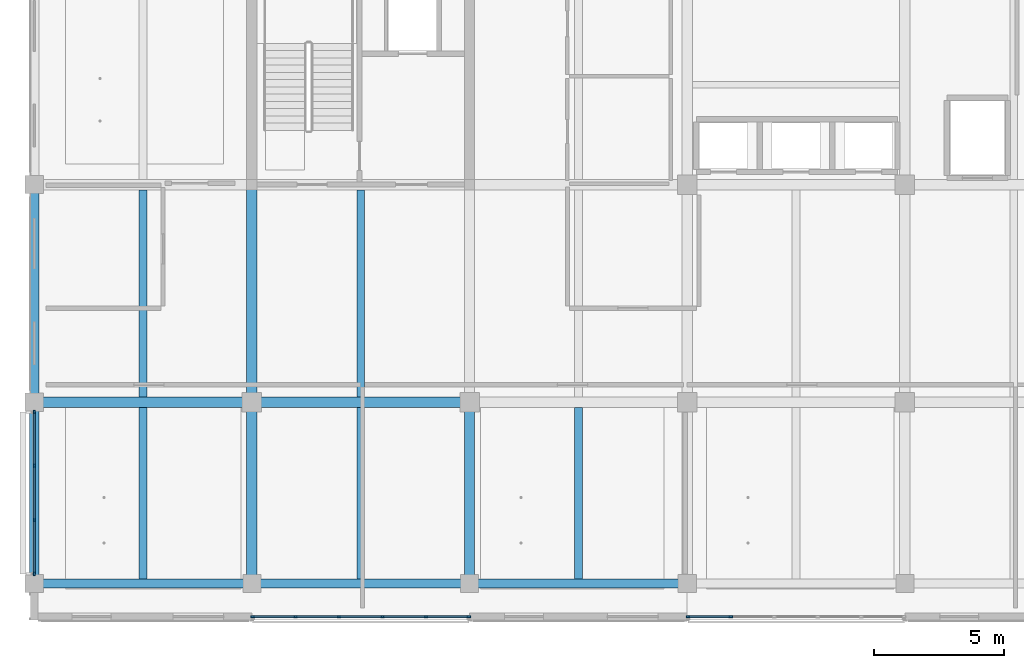
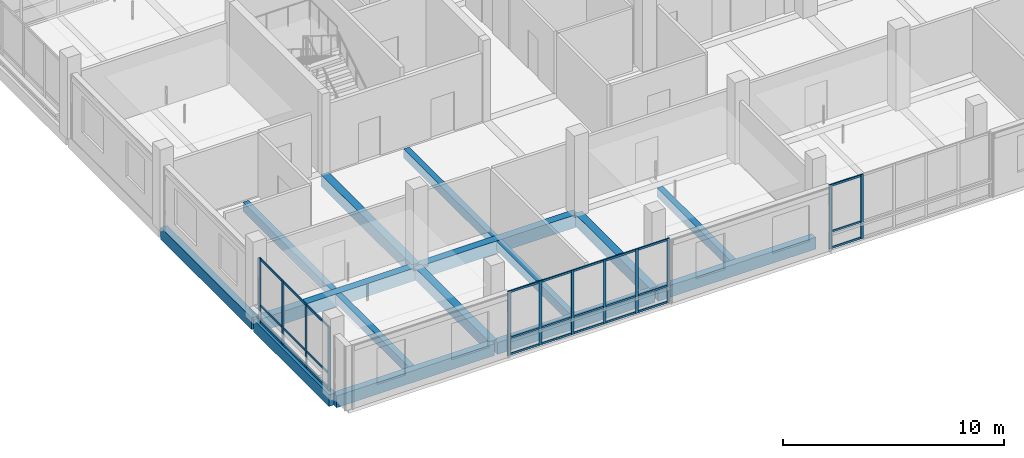
# One storey, part 2 of 32: 39 members, 15 beams, 3 elements without a shape of their own.
"""IFC4 building model written with IfcOpenShell, lengths in metres."""

from ifc_helpers import new_model, si_unit, direction, frame, origin, origin_2d, place, context, subcontext, project, spatial, rectangle, extrude, material, layer, layer_set, material_profile, profile_set, type_object, element, aggregate, save


model = new_model("IFC4")

# Units and contexts
model_context = context("Model", 3, precision=1e-05, world=origin(), true_north=direction((0.0, 1.0)))
body_context = subcontext(model_context, "Body", "Model", "MODEL_VIEW")
ifc_project = project(units=[si_unit("LENGTHUNIT", "METRE"), si_unit("AREAUNIT", "SQUARE_METRE"), si_unit("VOLUMEUNIT", "CUBIC_METRE"), si_unit("PLANEANGLEUNIT", "RADIAN"), si_unit("MASSUNIT", "GRAM", prefix="KILO")], contexts=[model_context])

# Site, building, storey
site_placement = place(None, origin())
site = spatial("IfcSite", under=ifc_project, at=site_placement, CompositionType="ELEMENT")
building_placement = place(site_placement, origin())
building = spatial("IfcBuilding", under=site, at=building_placement, Name="Telukmera Botanical Conservatory", CompositionType="ELEMENT")
storey_placement = place(building_placement, frame((0.0, 0.0, 42.0)))
storey = spatial("IfcBuildingStorey", under=building, at=storey_placement, Name="L09", CompositionType="ELEMENT", Elevation=42.0)

# Beams
ifc_material_1 = material(Name="Concrete C40/50", Category="concrete")
ifc_material_profile_1 = material_profile(ifc_material_1, rectangle(XDim=0.300048828125, YDim=0.5, at=origin_2d()), Name="RC 300x500")
ifc_profile_set_1 = profile_set([ifc_material_profile_1], Name="Concrete C40/50")
beam_type_1 = type_object("IfcBeamType", Name="Beam_B24", PredefinedType="JOIST", material=ifc_profile_set_1)
beam_1_placement = place(storey_placement, frame((54.60009765625, 10.77490234375, -0.25), z_axis=(0.0, 1.0, 0.0), x_axis=(-1.0, 0.0, 0.0)))
element("IfcBeam", 1, at=beam_1_placement, inside=storey, type_object=beam_type_1, Name="Tower Secondary Floor Joist L09", PredefinedType="JOIST", context=body_context, shape_type="SweptSolid", body=[
    extrude(rectangle(XDim=0.300048828125, YDim=0.5, at=origin_2d()), origin(), (0.0, 0.0, 1.0), 6.625),
])
beam_2_placement = place(storey_placement, frame((54.60009765625, 17.800048828125, -0.25), z_axis=(0.0, 1.0, 0.0), x_axis=(-1.0, 0.0, 0.0)))
element("IfcBeam", 2, at=beam_2_placement, inside=storey, type_object=beam_type_1, Name="Tower Secondary Floor Joist L09", PredefinedType="JOIST", context=body_context, shape_type="SweptSolid", body=[
    extrude(rectangle(XDim=0.300048828125, YDim=0.5, at=origin_2d()), origin(), (0.0, 0.0, 1.0), 8.0),
])
beam_3_placement = place(storey_placement, frame((63.0, 10.77490234375, -0.25), z_axis=(0.0, 1.0, 0.0), x_axis=(-1.0, 0.0, 0.0)))
element("IfcBeam", 3, at=beam_3_placement, inside=storey, type_object=beam_type_1, Name="Tower Secondary Floor Joist L09", PredefinedType="JOIST", context=body_context, shape_type="SweptSolid", body=[
    extrude(rectangle(XDim=0.300048828125, YDim=0.5, at=origin_2d()), origin(), (0.0, 0.0, 1.0), 6.625),
])
beam_4_placement = place(storey_placement, frame((63.0, 17.800048828125, -0.25), z_axis=(0.0, 1.0, 0.0), x_axis=(-1.0, 0.0, 0.0)))
element("IfcBeam", 4, at=beam_4_placement, inside=storey, type_object=beam_type_1, Name="Tower Secondary Floor Joist L09", PredefinedType="JOIST", context=body_context, shape_type="SweptSolid", body=[
    extrude(rectangle(XDim=0.300048828125, YDim=0.5, at=origin_2d()), origin(), (0.0, 0.0, 1.0), 8.0),
])
beam_5_placement = place(storey_placement, frame((71.39990234375, 10.77490234375, -0.25), z_axis=(0.0, 1.0, 0.0), x_axis=(-1.0, 0.0, 0.0)))
element("IfcBeam", 5, at=beam_5_placement, inside=storey, type_object=beam_type_1, Name="Tower Secondary Floor Joist L09", PredefinedType="JOIST", context=body_context, shape_type="SweptSolid", body=[
    extrude(rectangle(XDim=0.300048828125, YDim=0.5, at=origin_2d()), origin(), (0.0, 0.0, 1.0), 6.625),
])
ifc_material_profile_2 = material_profile(ifc_material_1, rectangle(XDim=0.39990234375, YDim=0.699951171875, at=origin_2d()), Name="RC 400x700")
ifc_profile_set_2 = profile_set([ifc_material_profile_2], Name="Concrete C40/50")
beam_type_2 = type_object("IfcBeamType", Name="Beam_B7", PredefinedType="BEAM", material=ifc_profile_set_2)
beam_6_placement = place(storey_placement, frame((50.47998046875, 17.60009765625, -0.35009765625), z_axis=(1.0, 0.0, 0.0), x_axis=(0.0, 1.0, 0.0)))
element("IfcBeam", 6, at=beam_6_placement, inside=storey, type_object=beam_type_2, Name="Tower Grid Beam L09", PredefinedType="BEAM", context=body_context, shape_type="SweptSolid", body=[
    extrude(rectangle(XDim=0.39990234375, YDim=0.699951171875, at=origin_2d()), origin(), (0.0, 0.0, 1.0), 8.239990234375),
])
beam_7_placement = place(storey_placement, frame((58.8798828125, 17.60009765625, -0.35009765625), z_axis=(1.0, 0.0, 0.0), x_axis=(0.0, 1.0, 0.0)))
element("IfcBeam", 7, at=beam_7_placement, inside=storey, type_object=beam_type_2, Name="Tower Grid Beam L09", PredefinedType="BEAM", context=body_context, shape_type="SweptSolid", body=[
    extrude(rectangle(XDim=0.39990234375, YDim=0.699951171875, at=origin_2d()), origin(), (0.0, 0.0, 1.0), 8.240234375),
])
ifc_material_profile_3 = material_profile(ifc_material_1, rectangle(XDim=0.39990234375, YDim=0.64990234375, at=origin_2d()), Name="RC 400x650")
ifc_profile_set_3 = profile_set([ifc_material_profile_3], Name="Concrete C40/50")
beam_type_3 = type_object("IfcBeamType", Name="Beam_B8", PredefinedType="BEAM", material=ifc_profile_set_3)
beam_8_placement = place(storey_placement, frame((58.800048828125, 10.679931640625, -0.324951171875), z_axis=(0.0, 1.0, 0.0), x_axis=(-1.0, 0.0, 0.0)))
element("IfcBeam", 8, at=beam_8_placement, inside=storey, type_object=beam_type_3, Name="Tower Transverse Beam L09", PredefinedType="BEAM", context=body_context, shape_type="SweptSolid", body=[
    extrude(rectangle(XDim=0.39990234375, YDim=0.64990234375, at=origin_2d()), origin(), (0.0, 0.0, 1.0), 6.840087890625),
])
beam_9_placement = place(storey_placement, frame((58.800048828125, 17.679931640625, -0.324951171875), z_axis=(0.0, 1.0, 0.0), x_axis=(-1.0, 0.0, 0.0)))
element("IfcBeam", 9, at=beam_9_placement, inside=storey, type_object=beam_type_3, Name="Tower Transverse Beam L09", PredefinedType="BEAM", context=body_context, shape_type="SweptSolid", body=[
    extrude(rectangle(XDim=0.39990234375, YDim=0.64990234375, at=origin_2d()), origin(), (0.0, 0.0, 1.0), 8.239990234375),
])
beam_10_placement = place(storey_placement, frame((67.199951171875, 10.679931640625, -0.324951171875), z_axis=(0.0, 1.0, 0.0), x_axis=(-1.0, 0.0, 0.0)))
element("IfcBeam", 10, at=beam_10_placement, inside=storey, type_object=beam_type_3, Name="Tower Transverse Beam L09", PredefinedType="BEAM", context=body_context, shape_type="SweptSolid", body=[
    extrude(rectangle(XDim=0.39990234375, YDim=0.64990234375, at=origin_2d()), origin(), (0.0, 0.0, 1.0), 6.840087890625),
])
ifc_material_2 = material(Name="Precast concrete C40/50", Category="concrete")
ifc_material_profile_4 = material_profile(ifc_material_2, rectangle(XDim=0.35009765625, YDim=0.64990234375, at=origin_2d()), Name="PC 350x650")
ifc_profile_set_4 = profile_set([ifc_material_profile_4], Name="Precast concrete C40/50")
beam_type_4 = type_object("IfcBeamType", Name="Beam_SP3", PredefinedType="SPANDREL", material=ifc_profile_set_4)
beam_11_placement = place(storey_placement, frame((50.47998046875, 10.60009765625, -0.324951171875), z_axis=(1.0, 0.0, 0.0), x_axis=(0.0, 1.0, 0.0)))
element("IfcBeam", 11, at=beam_11_placement, inside=storey, type_object=beam_type_4, Name="Tower Grid Beam L09", PredefinedType="SPANDREL", context=body_context, shape_type="SweptSolid", body=[
    extrude(rectangle(XDim=0.35009765625, YDim=0.64990234375, at=origin_2d()), origin(), (0.0, 0.0, 1.0), 8.239990234375),
])
beam_12_placement = place(storey_placement, frame((58.8798828125, 10.60009765625, -0.324951171875), z_axis=(1.0, 0.0, 0.0), x_axis=(0.0, 1.0, 0.0)))
element("IfcBeam", 12, at=beam_12_placement, inside=storey, type_object=beam_type_4, Name="Tower Grid Beam L09", PredefinedType="SPANDREL", context=body_context, shape_type="SweptSolid", body=[
    extrude(rectangle(XDim=0.35009765625, YDim=0.64990234375, at=origin_2d()), origin(), (0.0, 0.0, 1.0), 8.240234375),
])
beam_13_placement = place(storey_placement, frame((67.280029296875, 10.60009765625, -0.324951171875), z_axis=(1.0, 0.0, 0.0), x_axis=(0.0, 1.0, 0.0)))
element("IfcBeam", 13, at=beam_13_placement, inside=storey, type_object=beam_type_4, Name="Tower Grid Beam L09", PredefinedType="SPANDREL", context=body_context, shape_type="SweptSolid", body=[
    extrude(rectangle(XDim=0.35009765625, YDim=0.64990234375, at=origin_2d()), origin(), (0.0, 0.0, 1.0), 8.239990234375),
])
beam_14_placement = place(storey_placement, frame((50.39990234375, 10.679931640625, -0.324951171875), z_axis=(0.0, 1.0, 0.0), x_axis=(-1.0, 0.0, 0.0)))
element("IfcBeam", 14, at=beam_14_placement, inside=storey, type_object=beam_type_4, Name="Tower Transverse Beam L09", PredefinedType="SPANDREL", context=body_context, shape_type="SweptSolid", body=[
    extrude(rectangle(XDim=0.35009765625, YDim=0.64990234375, at=origin_2d()), origin(), (0.0, 0.0, 1.0), 6.840087890625),
])
beam_15_placement = place(storey_placement, frame((50.39990234375, 17.679931640625, -0.324951171875), z_axis=(0.0, 1.0, 0.0), x_axis=(-1.0, 0.0, 0.0)))
element("IfcBeam", 15, at=beam_15_placement, inside=storey, type_object=beam_type_4, Name="Tower Transverse Beam L09", PredefinedType="SPANDREL", context=body_context, shape_type="SweptSolid", body=[
    extrude(rectangle(XDim=0.35009765625, YDim=0.64990234375, at=origin_2d()), origin(), (0.0, 0.0, 1.0), 8.239990234375),
])

# Curtain wall, members
ifc_material_3 = material(Name="Anodised aluminium 6063-T6", Category="aluminium")
ifc_layer = layer(ifc_material_3, 0.179931640625)
ifc_layer_set = layer_set([ifc_layer], Name="Anodised aluminium 6063-T6")
curtain_wall_type = type_object("IfcCurtainWallType", Name="Tower Research Laboratory Unitised Curtain Wall", PredefinedType="USERDEFINED", material=ifc_layer_set)
curtain_wall_1_placement = place(storey_placement, origin())
curtain_wall_1 = element("IfcCurtainWall", 16, at=curtain_wall_1_placement, inside=storey, type_object=curtain_wall_type, Name="Unitised Curtain Wall CW15 V4:L09:S2", ObjectType="UNITISED CURTAIN WALL", PredefinedType="USERDEFINED")
ifc_material_profile_5 = material_profile(ifc_material_3, rectangle(XDim=0.06005859375, YDim=0.139892578125, at=origin_2d()), Name="ALU MULL 60x140")
ifc_profile_set_5 = profile_set([ifc_material_profile_5], Name="Anodised aluminium 6063-T6")
member_type_1 = type_object("IfcMemberType", Name="Curtain Wall Extruded Mullion 60x140", PredefinedType="MULLION", material=ifc_profile_set_5)
member_1_placement = place(storey_placement, frame((58.83203125, 9.320068359375, 0.0), z_axis=(0.0, 0.0, 1.0), x_axis=(0.0, 1.0, 0.0)))
member_1 = element("IfcMember", 17, at=member_1_placement, type_object=member_type_1, Name="CW15 mullion 1", PredefinedType="MULLION", context=body_context, shape_type="SweptSolid", body=[
    extrude(rectangle(XDim=0.06005859375, YDim=0.139892578125, at=origin_2d()), origin(), (0.0, 0.0, 1.0), 3.550048828125),
])
member_2_placement = place(storey_placement, frame((60.481201171875, 9.320068359375, 0.0), z_axis=(0.0, 0.0, 1.0), x_axis=(0.0, 1.0, 0.0)))
member_2 = element("IfcMember", 18, at=member_2_placement, type_object=member_type_1, Name="CW15 mullion 2", PredefinedType="MULLION", context=body_context, shape_type="SweptSolid", body=[
    extrude(rectangle(XDim=0.06005859375, YDim=0.139892578125, at=origin_2d()), origin(), (0.0, 0.0, 1.0), 3.550048828125),
])
member_3_placement = place(storey_placement, frame((62.160400390625, 9.320068359375, 0.0), z_axis=(0.0, 0.0, 1.0), x_axis=(0.0, 1.0, 0.0)))
member_3 = element("IfcMember", 19, at=member_3_placement, type_object=member_type_1, Name="CW15 mullion 3", PredefinedType="MULLION", context=body_context, shape_type="SweptSolid", body=[
    extrude(rectangle(XDim=0.06005859375, YDim=0.139892578125, at=origin_2d()), origin(), (0.0, 0.0, 1.0), 3.550048828125),
])
member_4_placement = place(storey_placement, frame((63.839599609375, 9.320068359375, 0.0), z_axis=(0.0, 0.0, 1.0), x_axis=(0.0, 1.0, 0.0)))
member_4 = element("IfcMember", 20, at=member_4_placement, type_object=member_type_1, Name="CW15 mullion 4", PredefinedType="MULLION", context=body_context, shape_type="SweptSolid", body=[
    extrude(rectangle(XDim=0.06005859375, YDim=0.139892578125, at=origin_2d()), origin(), (0.0, 0.0, 1.0), 3.550048828125),
])
member_5_placement = place(storey_placement, frame((65.518798828125, 9.320068359375, 0.0), z_axis=(0.0, 0.0, 1.0), x_axis=(0.0, 1.0, 0.0)))
member_5 = element("IfcMember", 21, at=member_5_placement, type_object=member_type_1, Name="CW15 mullion 5", PredefinedType="MULLION", context=body_context, shape_type="SweptSolid", body=[
    extrude(rectangle(XDim=0.06005859375, YDim=0.139892578125, at=origin_2d()), origin(), (0.0, 0.0, 1.0), 3.550048828125),
])
member_6_placement = place(storey_placement, frame((67.16796875, 9.320068359375, 0.0), z_axis=(0.0, 0.0, 1.0), x_axis=(0.0, 1.0, 0.0)))
member_6 = element("IfcMember", 22, at=member_6_placement, type_object=member_type_1, Name="CW15 mullion 6", PredefinedType="MULLION", context=body_context, shape_type="SweptSolid", body=[
    extrude(rectangle(XDim=0.06005859375, YDim=0.139892578125, at=origin_2d()), origin(), (0.0, 0.0, 1.0), 3.550048828125),
])

curtain_wall_2_placement = place(storey_placement, origin())
curtain_wall_2 = element("IfcCurtainWall", 23, at=curtain_wall_2_placement, inside=storey, type_object=curtain_wall_type, Name="Unitised Curtain Wall CW15 V4:L09:S4", ObjectType="UNITISED CURTAIN WALL", PredefinedType="USERDEFINED")
member_7_placement = place(storey_placement, frame((75.632080078125, 9.320068359375, 0.0), z_axis=(0.0, 0.0, 1.0), x_axis=(0.0, 1.0, 0.0)))
member_7 = element("IfcMember", 24, at=member_7_placement, type_object=member_type_1, Name="CW15 mullion 1", PredefinedType="MULLION", context=body_context, shape_type="SweptSolid", body=[
    extrude(rectangle(XDim=0.06005859375, YDim=0.139892578125, at=origin_2d()), origin(), (0.0, 0.0, 1.0), 3.550048828125),
])
member_8_placement = place(storey_placement, frame((77.28125, 9.320068359375, 0.0), z_axis=(0.0, 0.0, 1.0), x_axis=(0.0, 1.0, 0.0)))
member_8 = element("IfcMember", 25, at=member_8_placement, type_object=member_type_1, Name="CW15 mullion 2", PredefinedType="MULLION", context=body_context, shape_type="SweptSolid", body=[
    extrude(rectangle(XDim=0.06005859375, YDim=0.139892578125, at=origin_2d()), origin(), (0.0, 0.0, 1.0), 3.550048828125),
])

curtain_wall_3_placement = place(storey_placement, origin())
curtain_wall_3 = element("IfcCurtainWall", 26, at=curtain_wall_3_placement, inside=storey, type_object=curtain_wall_type, Name="Unitised Curtain Wall CW15 V4:L09:W1", ObjectType="UNITISED CURTAIN WALL", PredefinedType="USERDEFINED")
member_9_placement = place(storey_placement, frame((50.39990234375, 10.98193359375, 0.0), z_axis=(0.0, 0.0, 1.0), x_axis=(-1.0, 0.0, 0.0)))
member_9 = element("IfcMember", 27, at=member_9_placement, type_object=member_type_1, Name="CW15 mullion 1", PredefinedType="MULLION", context=body_context, shape_type="SweptSolid", body=[
    extrude(rectangle(XDim=0.06005859375, YDim=0.139892578125, at=origin_2d()), origin(), (0.0, 0.0, 1.0), 3.550048828125),
])
member_10_placement = place(storey_placement, frame((50.39990234375, 13.05078125, 0.0), z_axis=(0.0, 0.0, 1.0), x_axis=(-1.0, 0.0, 0.0)))
member_10 = element("IfcMember", 28, at=member_10_placement, type_object=member_type_1, Name="CW15 mullion 2", PredefinedType="MULLION", context=body_context, shape_type="SweptSolid", body=[
    extrude(rectangle(XDim=0.06005859375, YDim=0.139892578125, at=origin_2d()), origin(), (0.0, 0.0, 1.0), 3.550048828125),
])
member_11_placement = place(storey_placement, frame((50.39990234375, 15.1494140625, 0.0), z_axis=(0.0, 0.0, 1.0), x_axis=(-1.0, 0.0, 0.0)))
member_11 = element("IfcMember", 29, at=member_11_placement, type_object=member_type_1, Name="CW15 mullion 3", PredefinedType="MULLION", context=body_context, shape_type="SweptSolid", body=[
    extrude(rectangle(XDim=0.06005859375, YDim=0.139892578125, at=origin_2d()), origin(), (0.0, 0.0, 1.0), 3.550048828125),
])
member_12_placement = place(storey_placement, frame((50.39990234375, 17.218017578125, 0.0), z_axis=(0.0, 0.0, 1.0), x_axis=(-1.0, 0.0, 0.0)))
member_12 = element("IfcMember", 30, at=member_12_placement, type_object=member_type_1, Name="CW15 mullion 4", PredefinedType="MULLION", context=body_context, shape_type="SweptSolid", body=[
    extrude(rectangle(XDim=0.06005859375, YDim=0.139892578125, at=origin_2d()), origin(), (0.0, 0.0, 1.0), 3.550048828125),
])

# Member
ifc_material_profile_6 = material_profile(ifc_material_3, rectangle(XDim=0.06005859375, YDim=0.110107421875, at=origin_2d()), Name="ALU TRAN 60x110")
ifc_profile_set_6 = profile_set([ifc_material_profile_6], Name="Anodised aluminium 6063-T6")
member_type_2 = type_object("IfcMemberType", Name="Curtain Wall Extruded Transom 60x110", PredefinedType="USERDEFINED", material=ifc_profile_set_6)
member_13_placement = place(storey_placement, frame((58.862060546875, 9.320068359375, 0.054931640625), z_axis=(1.0, 0.0, 0.0), x_axis=(0.0, 1.0, 0.0)))
member_13 = element("IfcMember", 31, at=member_13_placement, type_object=member_type_2, Name="CW15 transom 1.1", ObjectType="TRANSOM", PredefinedType="USERDEFINED", context=body_context, shape_type="SweptSolid", body=[
    extrude(rectangle(XDim=0.06005859375, YDim=0.110107421875, at=origin_2d()), origin(), (0.0, 0.0, 1.0), 1.589111328125),
])

member_14_placement = place(storey_placement, frame((58.862060546875, 9.320068359375, 0.949951171875), z_axis=(1.0, 0.0, 0.0), x_axis=(0.0, 1.0, 0.0)))
member_14 = element("IfcMember", 32, at=member_14_placement, type_object=member_type_2, Name="CW15 transom 1.2", ObjectType="TRANSOM", PredefinedType="USERDEFINED", context=body_context, shape_type="SweptSolid", body=[
    extrude(rectangle(XDim=0.06005859375, YDim=0.110107421875, at=origin_2d()), origin(), (0.0, 0.0, 1.0), 1.589111328125),
])

member_15_placement = place(storey_placement, frame((58.862060546875, 9.320068359375, 3.4951171875), z_axis=(1.0, 0.0, 0.0), x_axis=(0.0, 1.0, 0.0)))
member_15 = element("IfcMember", 33, at=member_15_placement, type_object=member_type_2, Name="CW15 transom 1.3", ObjectType="TRANSOM", PredefinedType="USERDEFINED", context=body_context, shape_type="SweptSolid", body=[
    extrude(rectangle(XDim=0.06005859375, YDim=0.110107421875, at=origin_2d()), origin(), (0.0, 0.0, 1.0), 1.589111328125),
])

member_16_placement = place(storey_placement, frame((60.51123046875, 9.320068359375, 0.054931640625), z_axis=(1.0, 0.0, 0.0), x_axis=(0.0, 1.0, 0.0)))
member_16 = element("IfcMember", 34, at=member_16_placement, type_object=member_type_2, Name="CW15 transom 2.1", ObjectType="TRANSOM", PredefinedType="USERDEFINED", context=body_context, shape_type="SweptSolid", body=[
    extrude(rectangle(XDim=0.06005859375, YDim=0.110107421875, at=origin_2d()), origin(), (0.0, 0.0, 1.0), 1.619140625),
])

member_17_placement = place(storey_placement, frame((60.51123046875, 9.320068359375, 0.949951171875), z_axis=(1.0, 0.0, 0.0), x_axis=(0.0, 1.0, 0.0)))
member_17 = element("IfcMember", 35, at=member_17_placement, type_object=member_type_2, Name="CW15 transom 2.2", ObjectType="TRANSOM", PredefinedType="USERDEFINED", context=body_context, shape_type="SweptSolid", body=[
    extrude(rectangle(XDim=0.06005859375, YDim=0.110107421875, at=origin_2d()), origin(), (0.0, 0.0, 1.0), 1.619140625),
])

member_18_placement = place(storey_placement, frame((60.51123046875, 9.320068359375, 3.4951171875), z_axis=(1.0, 0.0, 0.0), x_axis=(0.0, 1.0, 0.0)))
member_18 = element("IfcMember", 36, at=member_18_placement, type_object=member_type_2, Name="CW15 transom 2.3", ObjectType="TRANSOM", PredefinedType="USERDEFINED", context=body_context, shape_type="SweptSolid", body=[
    extrude(rectangle(XDim=0.06005859375, YDim=0.110107421875, at=origin_2d()), origin(), (0.0, 0.0, 1.0), 1.619140625),
])

member_19_placement = place(storey_placement, frame((62.1904296875, 9.320068359375, 0.054931640625), z_axis=(1.0, 0.0, 0.0), x_axis=(0.0, 1.0, 0.0)))
member_19 = element("IfcMember", 37, at=member_19_placement, type_object=member_type_2, Name="CW15 transom 3.1", ObjectType="TRANSOM", PredefinedType="USERDEFINED", context=body_context, shape_type="SweptSolid", body=[
    extrude(rectangle(XDim=0.06005859375, YDim=0.110107421875, at=origin_2d()), origin(), (0.0, 0.0, 1.0), 1.619140625),
])

member_20_placement = place(storey_placement, frame((62.1904296875, 9.320068359375, 0.949951171875), z_axis=(1.0, 0.0, 0.0), x_axis=(0.0, 1.0, 0.0)))
member_20 = element("IfcMember", 38, at=member_20_placement, type_object=member_type_2, Name="CW15 transom 3.2", ObjectType="TRANSOM", PredefinedType="USERDEFINED", context=body_context, shape_type="SweptSolid", body=[
    extrude(rectangle(XDim=0.06005859375, YDim=0.110107421875, at=origin_2d()), origin(), (0.0, 0.0, 1.0), 1.619140625),
])

member_21_placement = place(storey_placement, frame((62.1904296875, 9.320068359375, 3.4951171875), z_axis=(1.0, 0.0, 0.0), x_axis=(0.0, 1.0, 0.0)))
member_21 = element("IfcMember", 39, at=member_21_placement, type_object=member_type_2, Name="CW15 transom 3.3", ObjectType="TRANSOM", PredefinedType="USERDEFINED", context=body_context, shape_type="SweptSolid", body=[
    extrude(rectangle(XDim=0.06005859375, YDim=0.110107421875, at=origin_2d()), origin(), (0.0, 0.0, 1.0), 1.619140625),
])

member_22_placement = place(storey_placement, frame((63.86962890625, 9.320068359375, 0.054931640625), z_axis=(1.0, 0.0, 0.0), x_axis=(0.0, 1.0, 0.0)))
member_22 = element("IfcMember", 40, at=member_22_placement, type_object=member_type_2, Name="CW15 transom 4.1", ObjectType="TRANSOM", PredefinedType="USERDEFINED", context=body_context, shape_type="SweptSolid", body=[
    extrude(rectangle(XDim=0.06005859375, YDim=0.110107421875, at=origin_2d()), origin(), (0.0, 0.0, 1.0), 1.619140625),
])

member_23_placement = place(storey_placement, frame((63.86962890625, 9.320068359375, 0.949951171875), z_axis=(1.0, 0.0, 0.0), x_axis=(0.0, 1.0, 0.0)))
member_23 = element("IfcMember", 41, at=member_23_placement, type_object=member_type_2, Name="CW15 transom 4.2", ObjectType="TRANSOM", PredefinedType="USERDEFINED", context=body_context, shape_type="SweptSolid", body=[
    extrude(rectangle(XDim=0.06005859375, YDim=0.110107421875, at=origin_2d()), origin(), (0.0, 0.0, 1.0), 1.619140625),
])

member_24_placement = place(storey_placement, frame((63.86962890625, 9.320068359375, 3.4951171875), z_axis=(1.0, 0.0, 0.0), x_axis=(0.0, 1.0, 0.0)))
member_24 = element("IfcMember", 42, at=member_24_placement, type_object=member_type_2, Name="CW15 transom 4.3", ObjectType="TRANSOM", PredefinedType="USERDEFINED", context=body_context, shape_type="SweptSolid", body=[
    extrude(rectangle(XDim=0.06005859375, YDim=0.110107421875, at=origin_2d()), origin(), (0.0, 0.0, 1.0), 1.619140625),
])

member_25_placement = place(storey_placement, frame((65.548828125, 9.320068359375, 0.054931640625), z_axis=(1.0, 0.0, 0.0), x_axis=(0.0, 1.0, 0.0)))
member_25 = element("IfcMember", 43, at=member_25_placement, type_object=member_type_2, Name="CW15 transom 5.1", ObjectType="TRANSOM", PredefinedType="USERDEFINED", context=body_context, shape_type="SweptSolid", body=[
    extrude(rectangle(XDim=0.06005859375, YDim=0.110107421875, at=origin_2d()), origin(), (0.0, 0.0, 1.0), 1.589111328125),
])

member_26_placement = place(storey_placement, frame((65.548828125, 9.320068359375, 0.949951171875), z_axis=(1.0, 0.0, 0.0), x_axis=(0.0, 1.0, 0.0)))
member_26 = element("IfcMember", 44, at=member_26_placement, type_object=member_type_2, Name="CW15 transom 5.2", ObjectType="TRANSOM", PredefinedType="USERDEFINED", context=body_context, shape_type="SweptSolid", body=[
    extrude(rectangle(XDim=0.06005859375, YDim=0.110107421875, at=origin_2d()), origin(), (0.0, 0.0, 1.0), 1.589111328125),
])

member_27_placement = place(storey_placement, frame((65.548828125, 9.320068359375, 3.4951171875), z_axis=(1.0, 0.0, 0.0), x_axis=(0.0, 1.0, 0.0)))
member_27 = element("IfcMember", 45, at=member_27_placement, type_object=member_type_2, Name="CW15 transom 5.3", ObjectType="TRANSOM", PredefinedType="USERDEFINED", context=body_context, shape_type="SweptSolid", body=[
    extrude(rectangle(XDim=0.06005859375, YDim=0.110107421875, at=origin_2d()), origin(), (0.0, 0.0, 1.0), 1.589111328125),
])

aggregate(curtain_wall_1, [member_1, member_2, member_3, member_4, member_5, member_6, member_13, member_14, member_15, member_16, member_17, member_18, member_19, member_20, member_21, member_22, member_23, member_24, member_25, member_26, member_27])

member_28_placement = place(storey_placement, frame((75.662109375, 9.320068359375, 0.054931640625), z_axis=(1.0, 0.0, 0.0), x_axis=(0.0, 1.0, 0.0)))
member_28 = element("IfcMember", 46, at=member_28_placement, type_object=member_type_2, Name="CW15 transom 1.1", ObjectType="TRANSOM", PredefinedType="USERDEFINED", context=body_context, shape_type="SweptSolid", body=[
    extrude(rectangle(XDim=0.06005859375, YDim=0.110107421875, at=origin_2d()), origin(), (0.0, 0.0, 1.0), 1.589111328125),
])

member_29_placement = place(storey_placement, frame((75.662109375, 9.320068359375, 0.949951171875), z_axis=(1.0, 0.0, 0.0), x_axis=(0.0, 1.0, 0.0)))
member_29 = element("IfcMember", 47, at=member_29_placement, type_object=member_type_2, Name="CW15 transom 1.2", ObjectType="TRANSOM", PredefinedType="USERDEFINED", context=body_context, shape_type="SweptSolid", body=[
    extrude(rectangle(XDim=0.06005859375, YDim=0.110107421875, at=origin_2d()), origin(), (0.0, 0.0, 1.0), 1.589111328125),
])

member_30_placement = place(storey_placement, frame((75.662109375, 9.320068359375, 3.4951171875), z_axis=(1.0, 0.0, 0.0), x_axis=(0.0, 1.0, 0.0)))
member_30 = element("IfcMember", 48, at=member_30_placement, type_object=member_type_2, Name="CW15 transom 1.3", ObjectType="TRANSOM", PredefinedType="USERDEFINED", context=body_context, shape_type="SweptSolid", body=[
    extrude(rectangle(XDim=0.06005859375, YDim=0.110107421875, at=origin_2d()), origin(), (0.0, 0.0, 1.0), 1.589111328125),
])

aggregate(curtain_wall_2, [member_7, member_8, member_28, member_29, member_30])

member_31_placement = place(storey_placement, frame((50.39990234375, 11.011962890625, 0.054931640625), z_axis=(0.0, 1.0, 0.0), x_axis=(-1.0, 0.0, 0.0)))
member_31 = element("IfcMember", 49, at=member_31_placement, type_object=member_type_2, Name="CW15 transom 1.1", ObjectType="TRANSOM", PredefinedType="USERDEFINED", context=body_context, shape_type="SweptSolid", body=[
    extrude(rectangle(XDim=0.06005859375, YDim=0.110107421875, at=origin_2d()), origin(), (0.0, 0.0, 1.0), 2.0087890625),
])

member_32_placement = place(storey_placement, frame((50.39990234375, 11.011962890625, 0.949951171875), z_axis=(0.0, 1.0, 0.0), x_axis=(-1.0, 0.0, 0.0)))
member_32 = element("IfcMember", 50, at=member_32_placement, type_object=member_type_2, Name="CW15 transom 1.2", ObjectType="TRANSOM", PredefinedType="USERDEFINED", context=body_context, shape_type="SweptSolid", body=[
    extrude(rectangle(XDim=0.06005859375, YDim=0.110107421875, at=origin_2d()), origin(), (0.0, 0.0, 1.0), 2.0087890625),
])

member_33_placement = place(storey_placement, frame((50.39990234375, 11.011962890625, 3.4951171875), z_axis=(0.0, 1.0, 0.0), x_axis=(-1.0, 0.0, 0.0)))
member_33 = element("IfcMember", 51, at=member_33_placement, type_object=member_type_2, Name="CW15 transom 1.3", ObjectType="TRANSOM", PredefinedType="USERDEFINED", context=body_context, shape_type="SweptSolid", body=[
    extrude(rectangle(XDim=0.06005859375, YDim=0.110107421875, at=origin_2d()), origin(), (0.0, 0.0, 1.0), 2.0087890625),
])

member_34_placement = place(storey_placement, frame((50.39990234375, 13.08056640625, 0.054931640625), z_axis=(0.0, 1.0, 0.0), x_axis=(-1.0, 0.0, 0.0)))
member_34 = element("IfcMember", 52, at=member_34_placement, type_object=member_type_2, Name="CW15 transom 2.1", ObjectType="TRANSOM", PredefinedType="USERDEFINED", context=body_context, shape_type="SweptSolid", body=[
    extrude(rectangle(XDim=0.06005859375, YDim=0.110107421875, at=origin_2d()), origin(), (0.0, 0.0, 1.0), 2.038818359375),
])

member_35_placement = place(storey_placement, frame((50.39990234375, 13.08056640625, 0.949951171875), z_axis=(0.0, 1.0, 0.0), x_axis=(-1.0, 0.0, 0.0)))
member_35 = element("IfcMember", 53, at=member_35_placement, type_object=member_type_2, Name="CW15 transom 2.2", ObjectType="TRANSOM", PredefinedType="USERDEFINED", context=body_context, shape_type="SweptSolid", body=[
    extrude(rectangle(XDim=0.06005859375, YDim=0.110107421875, at=origin_2d()), origin(), (0.0, 0.0, 1.0), 2.038818359375),
])

member_36_placement = place(storey_placement, frame((50.39990234375, 13.08056640625, 3.4951171875), z_axis=(0.0, 1.0, 0.0), x_axis=(-1.0, 0.0, 0.0)))
member_36 = element("IfcMember", 54, at=member_36_placement, type_object=member_type_2, Name="CW15 transom 2.3", ObjectType="TRANSOM", PredefinedType="USERDEFINED", context=body_context, shape_type="SweptSolid", body=[
    extrude(rectangle(XDim=0.06005859375, YDim=0.110107421875, at=origin_2d()), origin(), (0.0, 0.0, 1.0), 2.038818359375),
])

member_37_placement = place(storey_placement, frame((50.39990234375, 15.179443359375, 0.054931640625), z_axis=(0.0, 1.0, 0.0), x_axis=(-1.0, 0.0, 0.0)))
member_37 = element("IfcMember", 55, at=member_37_placement, type_object=member_type_2, Name="CW15 transom 3.1", ObjectType="TRANSOM", PredefinedType="USERDEFINED", context=body_context, shape_type="SweptSolid", body=[
    extrude(rectangle(XDim=0.06005859375, YDim=0.110107421875, at=origin_2d()), origin(), (0.0, 0.0, 1.0), 2.008544921875),
])

member_38_placement = place(storey_placement, frame((50.39990234375, 15.179443359375, 0.949951171875), z_axis=(0.0, 1.0, 0.0), x_axis=(-1.0, 0.0, 0.0)))
member_38 = element("IfcMember", 56, at=member_38_placement, type_object=member_type_2, Name="CW15 transom 3.2", ObjectType="TRANSOM", PredefinedType="USERDEFINED", context=body_context, shape_type="SweptSolid", body=[
    extrude(rectangle(XDim=0.06005859375, YDim=0.110107421875, at=origin_2d()), origin(), (0.0, 0.0, 1.0), 2.008544921875),
])

member_39_placement = place(storey_placement, frame((50.39990234375, 15.179443359375, 3.4951171875), z_axis=(0.0, 1.0, 0.0), x_axis=(-1.0, 0.0, 0.0)))
member_39 = element("IfcMember", 57, at=member_39_placement, type_object=member_type_2, Name="CW15 transom 3.3", ObjectType="TRANSOM", PredefinedType="USERDEFINED", context=body_context, shape_type="SweptSolid", body=[
    extrude(rectangle(XDim=0.06005859375, YDim=0.110107421875, at=origin_2d()), origin(), (0.0, 0.0, 1.0), 2.008544921875),
])

aggregate(curtain_wall_3, [member_9, member_10, member_11, member_12, member_31, member_32, member_33, member_34, member_35, member_36, member_37, member_38, member_39])

save(model, "model.ifc")
